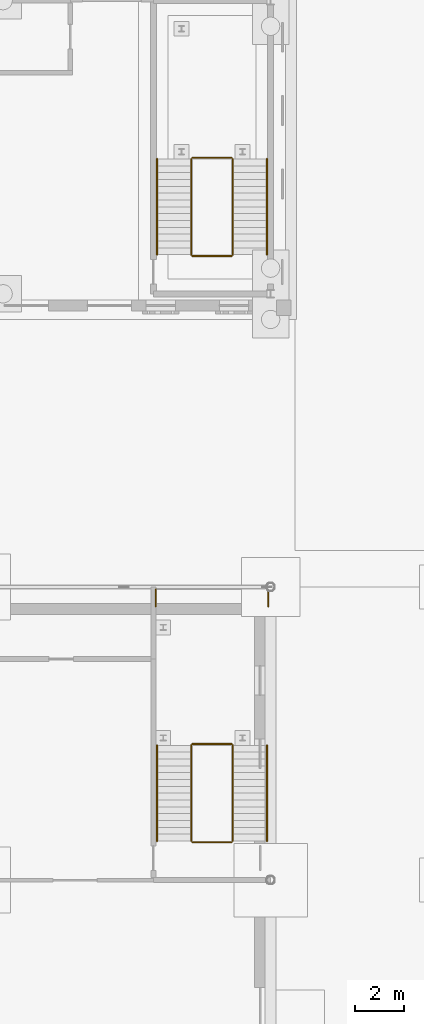
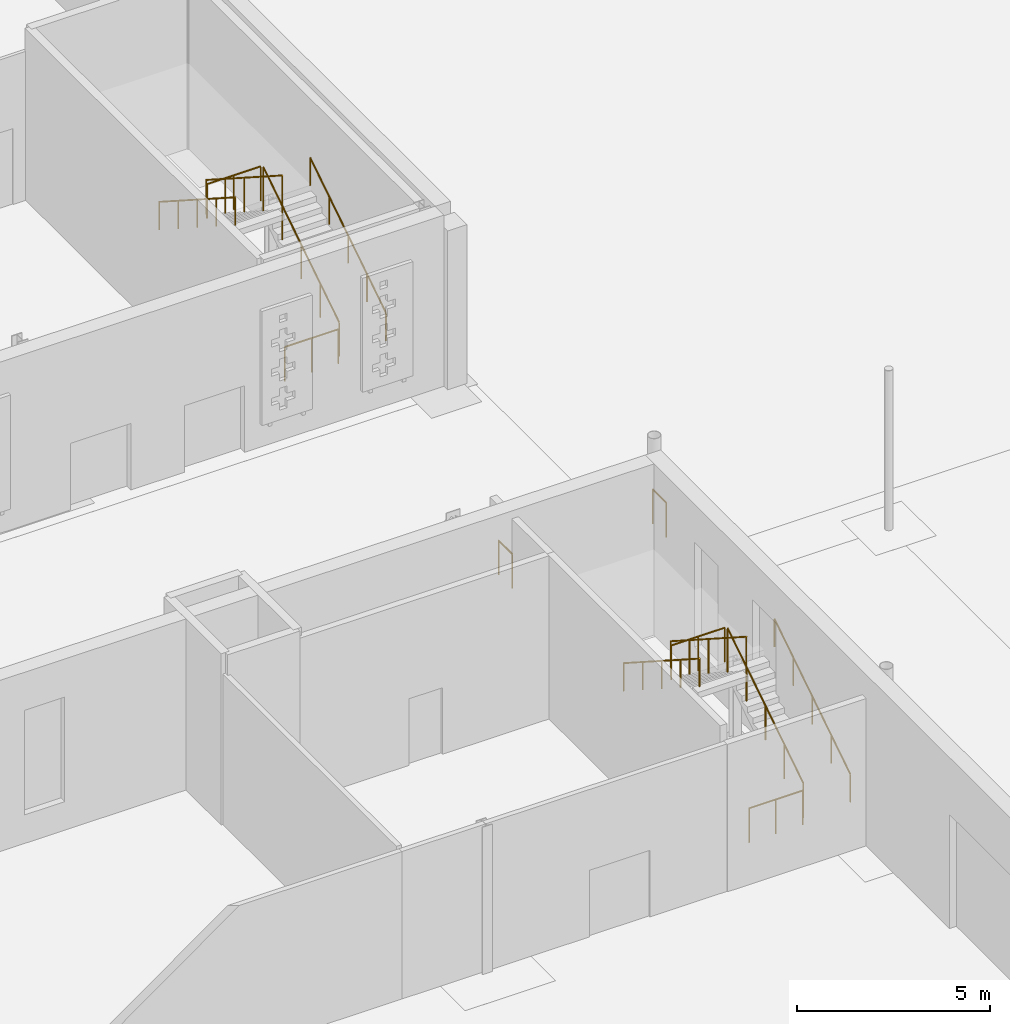
# One storey, part 127 of 132: 14 railings.
"""IFC4 building model written with IfcOpenShell, lengths in metres."""

from ifc_helpers import new_model, si_unit, direction, frame, origin, origin_2d, place, context, subcontext, project, spatial, circle, extrude, material, type_object, element, save


model = new_model("IFC4")

# Units and contexts
model_context = context("Model", 3, precision=1e-05, world=origin(), true_north=direction((0.0, 1.0)))
body_context = subcontext(model_context, "Body", "Model", "MODEL_VIEW")
ifc_project = project(units=[si_unit("LENGTHUNIT", "METRE"), si_unit("AREAUNIT", "SQUARE_METRE"), si_unit("VOLUMEUNIT", "CUBIC_METRE"), si_unit("PLANEANGLEUNIT", "RADIAN"), si_unit("MASSUNIT", "GRAM", prefix="KILO")], contexts=[model_context])

# Site, building, storey
site_placement = place(None, origin())
site = spatial("IfcSite", under=ifc_project, at=site_placement, CompositionType="ELEMENT")
building_placement = place(site_placement, origin())
building = spatial("IfcBuilding", under=site, at=building_placement, Name="Ravi Spectrum Wholesale Market", CompositionType="ELEMENT")
storey_placement = place(building_placement, origin())
storey = spatial("IfcBuildingStorey", under=building, at=storey_placement, Name="L00", CompositionType="ELEMENT", Elevation=0.0)

# Railings
ifc_material_1 = material(Name="Steel S355", Category="steel")
railing_type_1 = type_object("IfcRailingType", Name="Guard 1100", PredefinedType="GUARDRAIL", material=ifc_material_1)
railing_1_placement = place(storey_placement, frame((196.449951171875, 199.60009765625, 0.179931640625)))
element("IfcRailing", 1, at=railing_1_placement, inside=storey, type_object=railing_type_1, Name="L00 S-AU-1 stair guard 1", PredefinedType="GUARDRAIL", context=body_context, shape_type="SweptSolid", body=[
    extrude(circle(Radius=0.02392578125, at=origin_2d()), frame((0.0, 0.0, 1.076171875), z_axis=(0.0, 0.841171666519, 0.540768182723), x_axis=(-1.0, 0.0, 0.0)), (0.0, 0.0, 1.0), 4.66015625),
    extrude(circle(Radius=0.02099609375, at=origin_2d()), origin(), (0.0, 0.0, 1.0), 1.052001953125),
    extrude(circle(Radius=0.02099609375, at=origin_2d()), frame((0.0, 0.97998046875, 0.6298828125)), (0.0, 0.0, 1.0), 1.052001953125),
    extrude(circle(Radius=0.02099609375, at=origin_2d()), frame((0.0, 1.9599609375, 1.260009765625)), (0.0, 0.0, 1.0), 1.052001953125),
    extrude(circle(Radius=0.02099609375, at=origin_2d()), frame((0.0, 2.93994140625, 1.89013671875)), (0.0, 0.0, 1.0), 1.052001953125),
    extrude(circle(Radius=0.02099609375, at=origin_2d()), frame((0.0, 3.919921875, 2.52001953125)), (0.0, 0.0, 1.0), 1.052001953125),
])
railing_2_placement = place(storey_placement, frame((196.39990234375, 203.570068359375, 2.699951171875)))
element("IfcRailing", 2, at=railing_2_placement, inside=storey, type_object=railing_type_1, Name="L00 S-AU-1 stair guard 2", PredefinedType="GUARDRAIL", context=body_context, shape_type="SweptSolid", body=[
    extrude(circle(Radius=0.02392578125, at=origin_2d()), frame((0.0, 0.0, 1.076171875), z_axis=(-1.0, 0.0, 0.0), x_axis=(0.0, -1.0, 0.0)), (0.0, 0.0, 1.0), 1.599853515625),
    extrude(circle(Radius=0.02099609375, at=origin_2d()), origin(), (0.0, 0.0, 1.0), 1.052001953125),
    extrude(circle(Radius=0.02099609375, at=origin_2d()), frame((-0.7998046875, 0.0, 0.0)), (0.0, 0.0, 1.0), 1.052001953125),
    extrude(circle(Radius=0.02099609375, at=origin_2d()), frame((-1.599853515625, 0.0, 0.0)), (0.0, 0.0, 1.0), 1.052001953125),
])
railing_3_placement = place(storey_placement, frame((194.75, 203.52001953125, 2.8798828125)))
element("IfcRailing", 3, at=railing_3_placement, inside=storey, type_object=railing_type_1, Name="L00 S-AU-1 stair guard 3", PredefinedType="GUARDRAIL", context=body_context, shape_type="SweptSolid", body=[
    extrude(circle(Radius=0.02392578125, at=origin_2d()), frame((0.0, 0.0, 1.076171875), z_axis=(0.0, -0.841171666519, 0.540768182723), x_axis=(1.0, 0.0, 0.0)), (0.0, 0.0, 1.0), 4.66015625),
    extrude(circle(Radius=0.02099609375, at=origin_2d()), origin(), (0.0, 0.0, 1.0), 1.052001953125),
    extrude(circle(Radius=0.02099609375, at=origin_2d()), frame((0.0, -0.97998046875, 0.6298828125)), (0.0, 0.0, 1.0), 1.052001953125),
    extrude(circle(Radius=0.02099609375, at=origin_2d()), frame((0.0, -1.9599609375, 1.260009765625)), (0.0, 0.0, 1.0), 1.052001953125),
    extrude(circle(Radius=0.02099609375, at=origin_2d()), frame((0.0, -2.93994140625, 1.89013671875)), (0.0, 0.0, 1.0), 1.052001953125),
    extrude(circle(Radius=0.02099609375, at=origin_2d()), frame((0.0, -3.919921875, 2.52001953125)), (0.0, 0.0, 1.0), 1.052001953125),
])
railing_4_placement = place(storey_placement, frame((196.39990234375, 199.550048828125, 0.0)))
element("IfcRailing", 4, at=railing_4_placement, inside=storey, type_object=railing_type_1, Name="L00 S-AU-1 stair guard 4", PredefinedType="GUARDRAIL", context=body_context, shape_type="SweptSolid", body=[
    extrude(circle(Radius=0.02392578125, at=origin_2d()), frame((0.0, 0.0, 1.076171875), z_axis=(-1.0, 0.0, 0.0), x_axis=(0.0, -1.0, 0.0)), (0.0, 0.0, 1.0), 1.599853515625),
    extrude(circle(Radius=0.02099609375, at=origin_2d()), origin(), (0.0, 0.0, 1.0), 1.052001953125),
    extrude(circle(Radius=0.02099609375, at=origin_2d()), frame((-0.7998046875, 0.0, 0.0)), (0.0, 0.0, 1.0), 1.052001953125),
    extrude(circle(Radius=0.02099609375, at=origin_2d()), frame((-1.599853515625, 0.0, 0.0)), (0.0, 0.0, 1.0), 1.052001953125),
])
for number, where, name in (
    (5, (193.300048828125, 185.199951171875, 2.699951171875), "H3-RL-S-H3-1-END-0-W"),
    (6, (197.89990234375, 185.199951171875, 2.699951171875), "H3-RL-S-H3-1-END-0-E"),
):
    element("IfcRailing", number, at=place(storey_placement, frame(where)), inside=storey, type_object=railing_type_1, Name=name, PredefinedType="GUARDRAIL", context=body_context, shape_type="SweptSolid", body=[
        extrude(circle(Radius=0.02392578125, at=origin_2d()), frame((0.0, 0.0, 1.076171875), z_axis=(0.0, 1.0, 0.0), x_axis=(-1.0, 0.0, 0.0)), (0.0, 0.0, 1.0), 0.699951171875),
        extrude(circle(Radius=0.02099609375, at=origin_2d()), origin(), (0.0, 0.0, 1.0), 1.052001953125),
        extrude(circle(Radius=0.02099609375, at=origin_2d()), frame((0.0, 0.699951171875, 0.0)), (0.0, 0.0, 1.0), 1.052001953125),
    ])
railing_5_placement = place(storey_placement, frame((196.449951171875, 175.60009765625, 0.179931640625)))
element("IfcRailing", 7, at=railing_5_placement, inside=storey, type_object=railing_type_1, Name="L00 S-H3-1 stair guard 1", PredefinedType="GUARDRAIL", context=body_context, shape_type="SweptSolid", body=[
    extrude(circle(Radius=0.02392578125, at=origin_2d()), frame((0.0, 0.0, 1.076171875), z_axis=(0.0, 0.841171666519, 0.540768182723), x_axis=(-1.0, 0.0, 0.0)), (0.0, 0.0, 1.0), 4.66015625),
    extrude(circle(Radius=0.02099609375, at=origin_2d()), origin(), (0.0, 0.0, 1.0), 1.052001953125),
    extrude(circle(Radius=0.02099609375, at=origin_2d()), frame((0.0, 0.97998046875, 0.6298828125)), (0.0, 0.0, 1.0), 1.052001953125),
    extrude(circle(Radius=0.02099609375, at=origin_2d()), frame((0.0, 1.9599609375, 1.260009765625)), (0.0, 0.0, 1.0), 1.052001953125),
    extrude(circle(Radius=0.02099609375, at=origin_2d()), frame((0.0, 2.93994140625, 1.89013671875)), (0.0, 0.0, 1.0), 1.052001953125),
    extrude(circle(Radius=0.02099609375, at=origin_2d()), frame((0.0, 3.919921875, 2.52001953125)), (0.0, 0.0, 1.0), 1.052001953125),
])
railing_6_placement = place(storey_placement, frame((196.39990234375, 179.570068359375, 2.699951171875)))
element("IfcRailing", 8, at=railing_6_placement, inside=storey, type_object=railing_type_1, Name="L00 S-H3-1 stair guard 2", PredefinedType="GUARDRAIL", context=body_context, shape_type="SweptSolid", body=[
    extrude(circle(Radius=0.02392578125, at=origin_2d()), frame((0.0, 0.0, 1.076171875), z_axis=(-1.0, 0.0, 0.0), x_axis=(0.0, -1.0, 0.0)), (0.0, 0.0, 1.0), 1.599853515625),
    extrude(circle(Radius=0.02099609375, at=origin_2d()), origin(), (0.0, 0.0, 1.0), 1.052001953125),
    extrude(circle(Radius=0.02099609375, at=origin_2d()), frame((-0.7998046875, 0.0, 0.0)), (0.0, 0.0, 1.0), 1.052001953125),
    extrude(circle(Radius=0.02099609375, at=origin_2d()), frame((-1.599853515625, 0.0, 0.0)), (0.0, 0.0, 1.0), 1.052001953125),
])
railing_7_placement = place(storey_placement, frame((194.75, 179.52001953125, 2.8798828125)))
element("IfcRailing", 9, at=railing_7_placement, inside=storey, type_object=railing_type_1, Name="L00 S-H3-1 stair guard 3", PredefinedType="GUARDRAIL", context=body_context, shape_type="SweptSolid", body=[
    extrude(circle(Radius=0.02392578125, at=origin_2d()), frame((0.0, 0.0, 1.076171875), z_axis=(0.0, -0.841171666519, 0.540768182723), x_axis=(1.0, 0.0, 0.0)), (0.0, 0.0, 1.0), 4.66015625),
    extrude(circle(Radius=0.02099609375, at=origin_2d()), origin(), (0.0, 0.0, 1.0), 1.052001953125),
    extrude(circle(Radius=0.02099609375, at=origin_2d()), frame((0.0, -0.97998046875, 0.6298828125)), (0.0, 0.0, 1.0), 1.052001953125),
    extrude(circle(Radius=0.02099609375, at=origin_2d()), frame((0.0, -1.9599609375, 1.260009765625)), (0.0, 0.0, 1.0), 1.052001953125),
    extrude(circle(Radius=0.02099609375, at=origin_2d()), frame((0.0, -2.93994140625, 1.89013671875)), (0.0, 0.0, 1.0), 1.052001953125),
    extrude(circle(Radius=0.02099609375, at=origin_2d()), frame((0.0, -3.919921875, 2.52001953125)), (0.0, 0.0, 1.0), 1.052001953125),
])
railing_8_placement = place(storey_placement, frame((196.39990234375, 175.550048828125, 0.0)))
element("IfcRailing", 10, at=railing_8_placement, inside=storey, type_object=railing_type_1, Name="L00 S-H3-1 stair guard 4", PredefinedType="GUARDRAIL", context=body_context, shape_type="SweptSolid", body=[
    extrude(circle(Radius=0.02392578125, at=origin_2d()), frame((0.0, 0.0, 1.076171875), z_axis=(-1.0, 0.0, 0.0), x_axis=(0.0, -1.0, 0.0)), (0.0, 0.0, 1.0), 1.599853515625),
    extrude(circle(Radius=0.02099609375, at=origin_2d()), origin(), (0.0, 0.0, 1.0), 1.052001953125),
    extrude(circle(Radius=0.02099609375, at=origin_2d()), frame((-0.7998046875, 0.0, 0.0)), (0.0, 0.0, 1.0), 1.052001953125),
    extrude(circle(Radius=0.02099609375, at=origin_2d()), frame((-1.599853515625, 0.0, 0.0)), (0.0, 0.0, 1.0), 1.052001953125),
])
ifc_material_2 = material(Name="Stainless steel", Category="steel")
railing_type_2 = type_object("IfcRailingType", Name="Handrail 900", PredefinedType="HANDRAIL", material=ifc_material_2)
railing_9_placement = place(storey_placement, frame((197.85009765625, 199.60009765625, 0.179931640625)))
element("IfcRailing", 11, at=railing_9_placement, inside=storey, type_object=railing_type_2, Name="L00 S-AU-1 stair handrail 1", PredefinedType="HANDRAIL", context=body_context, shape_type="SweptSolid", body=[
    extrude(circle(Radius=0.02392578125, at=origin_2d()), frame((0.0, 0.0, 0.8759765625), z_axis=(0.0, 0.841171666519, 0.540768182723), x_axis=(-1.0, 0.0, 0.0)), (0.0, 0.0, 1.0), 4.66015625),
    extrude(circle(Radius=0.02099609375, at=origin_2d()), origin(), (0.0, 0.0, 1.0), 0.851806640625),
    extrude(circle(Radius=0.02099609375, at=origin_2d()), frame((0.0, 0.97998046875, 0.6298828125)), (0.0, 0.0, 1.0), 0.851806640625),
    extrude(circle(Radius=0.02099609375, at=origin_2d()), frame((0.0, 1.9599609375, 1.260009765625)), (0.0, 0.0, 1.0), 0.851806640625),
    extrude(circle(Radius=0.02099609375, at=origin_2d()), frame((0.0, 2.93994140625, 1.89013671875)), (0.0, 0.0, 1.0), 0.851806640625),
    extrude(circle(Radius=0.02099609375, at=origin_2d()), frame((0.0, 3.919921875, 2.52001953125)), (0.0, 0.0, 1.0), 0.851806640625),
])
railing_10_placement = place(storey_placement, frame((193.35009765625, 203.52001953125, 2.8798828125)))
element("IfcRailing", 12, at=railing_10_placement, inside=storey, type_object=railing_type_2, Name="L00 S-AU-1 stair handrail 2", PredefinedType="HANDRAIL", context=body_context, shape_type="SweptSolid", body=[
    extrude(circle(Radius=0.02392578125, at=origin_2d()), frame((0.0, 0.0, 0.8759765625), z_axis=(0.0, -0.841171666519, 0.540768182723), x_axis=(1.0, 0.0, 0.0)), (0.0, 0.0, 1.0), 4.66015625),
    extrude(circle(Radius=0.02099609375, at=origin_2d()), origin(), (0.0, 0.0, 1.0), 0.851806640625),
    extrude(circle(Radius=0.02099609375, at=origin_2d()), frame((0.0, -0.97998046875, 0.6298828125)), (0.0, 0.0, 1.0), 0.851806640625),
    extrude(circle(Radius=0.02099609375, at=origin_2d()), frame((0.0, -1.9599609375, 1.260009765625)), (0.0, 0.0, 1.0), 0.851806640625),
    extrude(circle(Radius=0.02099609375, at=origin_2d()), frame((0.0, -2.93994140625, 1.89013671875)), (0.0, 0.0, 1.0), 0.851806640625),
    extrude(circle(Radius=0.02099609375, at=origin_2d()), frame((0.0, -3.919921875, 2.52001953125)), (0.0, 0.0, 1.0), 0.851806640625),
])
railing_11_placement = place(storey_placement, frame((197.85009765625, 175.60009765625, 0.179931640625)))
element("IfcRailing", 13, at=railing_11_placement, inside=storey, type_object=railing_type_2, Name="L00 S-H3-1 stair handrail 1", PredefinedType="HANDRAIL", context=body_context, shape_type="SweptSolid", body=[
    extrude(circle(Radius=0.02392578125, at=origin_2d()), frame((0.0, 0.0, 0.8759765625), z_axis=(0.0, 0.841171666519, 0.540768182723), x_axis=(-1.0, 0.0, 0.0)), (0.0, 0.0, 1.0), 4.66015625),
    extrude(circle(Radius=0.02099609375, at=origin_2d()), origin(), (0.0, 0.0, 1.0), 0.851806640625),
    extrude(circle(Radius=0.02099609375, at=origin_2d()), frame((0.0, 0.97998046875, 0.6298828125)), (0.0, 0.0, 1.0), 0.851806640625),
    extrude(circle(Radius=0.02099609375, at=origin_2d()), frame((0.0, 1.9599609375, 1.260009765625)), (0.0, 0.0, 1.0), 0.851806640625),
    extrude(circle(Radius=0.02099609375, at=origin_2d()), frame((0.0, 2.93994140625, 1.89013671875)), (0.0, 0.0, 1.0), 0.851806640625),
    extrude(circle(Radius=0.02099609375, at=origin_2d()), frame((0.0, 3.919921875, 2.52001953125)), (0.0, 0.0, 1.0), 0.851806640625),
])
railing_12_placement = place(storey_placement, frame((193.35009765625, 179.52001953125, 2.8798828125)))
element("IfcRailing", 14, at=railing_12_placement, inside=storey, type_object=railing_type_2, Name="L00 S-H3-1 stair handrail 2", PredefinedType="HANDRAIL", context=body_context, shape_type="SweptSolid", body=[
    extrude(circle(Radius=0.02392578125, at=origin_2d()), frame((0.0, 0.0, 0.8759765625), z_axis=(0.0, -0.841171666519, 0.540768182723), x_axis=(1.0, 0.0, 0.0)), (0.0, 0.0, 1.0), 4.66015625),
    extrude(circle(Radius=0.02099609375, at=origin_2d()), origin(), (0.0, 0.0, 1.0), 0.851806640625),
    extrude(circle(Radius=0.02099609375, at=origin_2d()), frame((0.0, -0.97998046875, 0.6298828125)), (0.0, 0.0, 1.0), 0.851806640625),
    extrude(circle(Radius=0.02099609375, at=origin_2d()), frame((0.0, -1.9599609375, 1.260009765625)), (0.0, 0.0, 1.0), 0.851806640625),
    extrude(circle(Radius=0.02099609375, at=origin_2d()), frame((0.0, -2.93994140625, 1.89013671875)), (0.0, 0.0, 1.0), 0.851806640625),
    extrude(circle(Radius=0.02099609375, at=origin_2d()), frame((0.0, -3.919921875, 2.52001953125)), (0.0, 0.0, 1.0), 0.851806640625),
])

save(model, "model.ifc")
